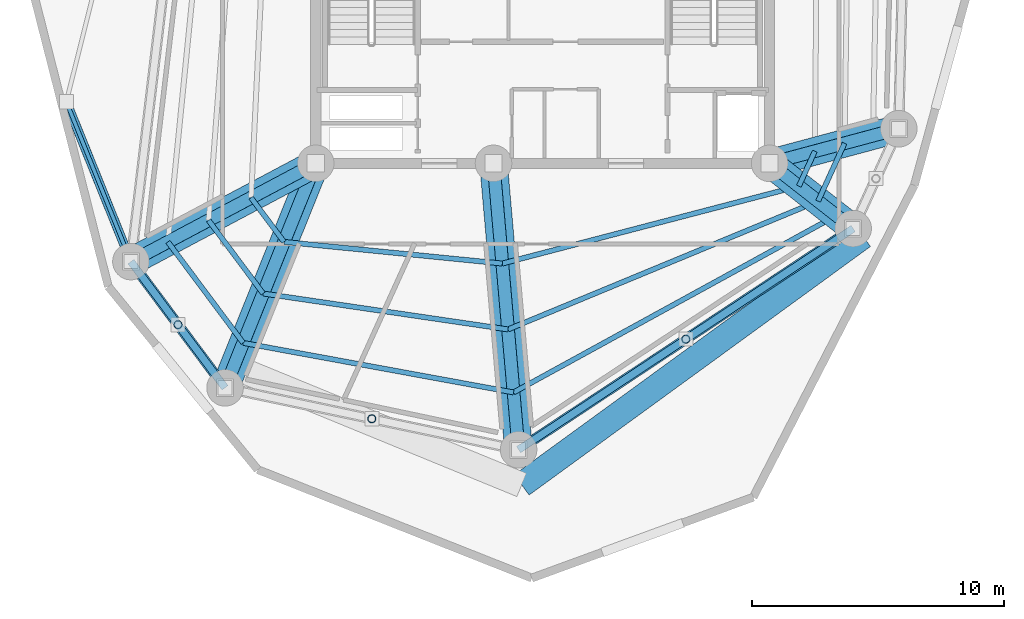
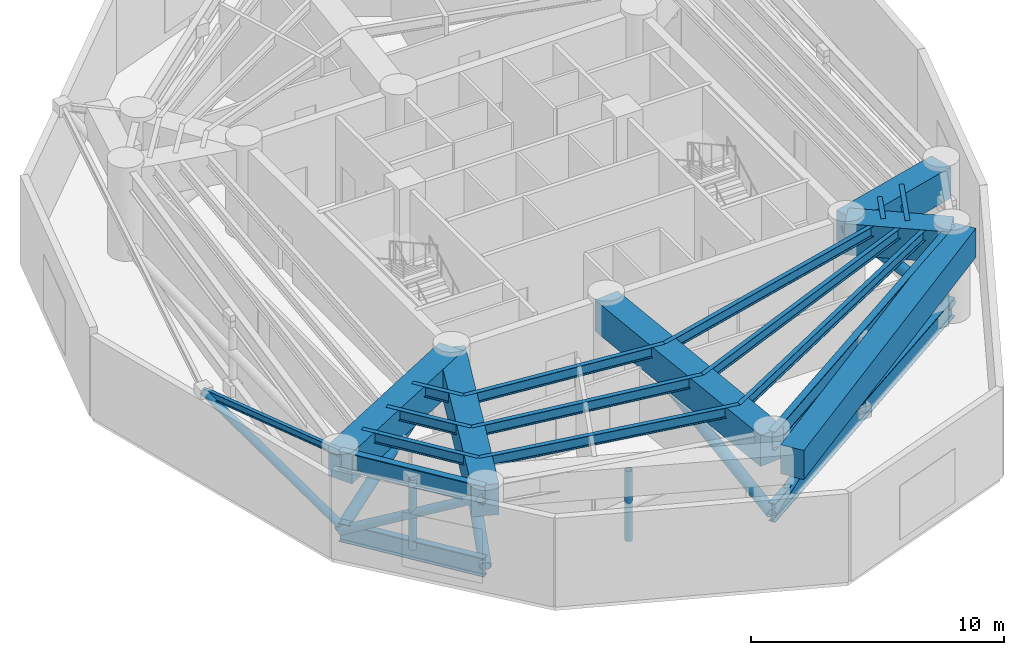
# One storey, part 2 of 11: 20 beams, 13 members.
"""IFC4 building model written with IfcOpenShell, lengths in metres."""

import ifcopenshell
import ifcopenshell.guid

model = None  # the IFC model being written
_history = None  # IfcOwnerHistory: only IFC2X3 demands one
_inside = {}  # id of a spatial element -> (the spatial element, [elements in it])
_under = {}  # id of a project, library or spatial element -> (it, [spatial elements below it])
_declared = {}  # id of a project -> (the project, [libraries it declares])
_typed = {}  # id of a type object -> (the type object, [elements of that type])
_made_of = {}  # id of a material, layer set ... -> (it, [elements and type objects made of it])


def new_model(schema):
    """Start an empty IFC model of exactly this schema.

    Asked for "IFC4X3", IfcOpenShell would pick the latest addendum, in which some entities
    have other attributes; the version numbers below select the first issue.
    IFC2X3 requires an IfcOwnerHistory on every rooted entity: one is made here for all.
    """
    global model, _history
    if schema == "IFC4X3":
        model = ifcopenshell.file(schema_version=(4, 3, 0, 0))
    else:
        model = ifcopenshell.file(schema=schema)
    _inside.clear()
    _under.clear()
    _declared.clear()
    _typed.clear()
    _made_of.clear()
    _history = None
    if model.schema == "IFC2X3":
        org = make("IfcOrganization", Name="unknown")
        user = make(
            "IfcPersonAndOrganization",
            ThePerson=make("IfcPerson", FamilyName="unknown"),
            TheOrganization=org,
        )
        app = make(
            "IfcApplication",
            ApplicationDeveloper=org,
            Version="unknown",
            ApplicationFullName="unknown",
            ApplicationIdentifier="unknown",
        )
        _history = make(
            "IfcOwnerHistory",
            OwningUser=user,
            OwningApplication=app,
            ChangeAction="ADDED",
            CreationDate=0,
        )
    return model


def make(cls, **values):
    """One entity of the class cls with the attributes given. An attribute that is None is left unset."""
    return model.create_entity(
        cls, **{name: value for name, value in values.items() if value is not None}
    )


def rooted(cls, **values):
    """An entity with a GlobalId (a new one), such as an element, a storey or a relation."""
    return make(cls, GlobalId=ifcopenshell.guid.new(), OwnerHistory=_history, **values)


def si_unit(unit_type, name, prefix=None):
    """IfcSIUnit, for example si_unit("LENGTHUNIT", "METRE", prefix="MILLI")."""
    return make("IfcSIUnit", UnitType=unit_type, Prefix=prefix, Name=name)


def assignment(units):
    """IfcUnitAssignment: the units of a project."""
    return None if units is None else make("IfcUnitAssignment", Units=units)


def point(xyz):
    """IfcCartesianPoint."""
    return None if xyz is None else make("IfcCartesianPoint", Coordinates=xyz)


def direction(xyz):
    """IfcDirection."""
    return None if xyz is None else make("IfcDirection", DirectionRatios=xyz)


def frame(location, z_axis=None, x_axis=None):
    """IfcAxis2Placement3D, a coordinate frame: its origin and axes. An axis left out is left unset."""
    return make(
        "IfcAxis2Placement3D",
        Location=point(location),
        Axis=direction(z_axis),
        RefDirection=direction(x_axis),
    )


def frame_2d(location, x_axis=None):
    """IfcAxis2Placement2D, a coordinate frame in the plane: its origin and x axis."""
    return make(
        "IfcAxis2Placement2D", Location=point(location), RefDirection=direction(x_axis)
    )


def origin():
    """The frame at (0, 0, 0) with its axes left unset."""
    return frame((0.0, 0.0, 0.0))


def origin_with_axes():
    """The frame at (0, 0, 0) with the z axis (0, 0, 1) and the x axis (1, 0, 0) written out."""
    return frame((0.0, 0.0, 0.0), z_axis=(0.0, 0.0, 1.0), x_axis=(1.0, 0.0, 0.0))


def origin_2d():
    """The frame at (0, 0) in the plane with its x axis left unset."""
    return frame_2d((0.0, 0.0))


def place(relative_to, where):
    """IfcLocalPlacement: puts the frame where relative to a parent placement (None: the world)."""
    return make(
        "IfcLocalPlacement", PlacementRelTo=relative_to, RelativePlacement=where
    )


def context(
    kind, dimensions, precision=None, world=None, true_north=None, identifier=None
):
    """IfcGeometricRepresentationContext, for example the 3D "Model" context."""
    return make(
        "IfcGeometricRepresentationContext",
        ContextIdentifier=identifier,
        ContextType=kind,
        CoordinateSpaceDimension=dimensions,
        Precision=precision,
        WorldCoordinateSystem=world,
        TrueNorth=true_north,
    )


def subcontext(parent, identifier, kind, view, scale=None):
    """IfcGeometricRepresentationSubContext, for example "Body" below "Model"."""
    return make(
        "IfcGeometricRepresentationSubContext",
        ContextIdentifier=identifier,
        ContextType=kind,
        ParentContext=parent,
        TargetScale=scale,
        TargetView=view,
    )


def project(units=None, contexts=None):
    """IfcProject with its units and contexts."""
    return rooted(
        "IfcProject",
        Name="project",
        RepresentationContexts=contexts,
        UnitsInContext=assignment(units),
    )


def spatial(cls, under=None, at=None, **own):
    """A site, building, storey or space (cls), placed at a placement, below another one or the project."""
    s = rooted(cls, ObjectPlacement=at, **own)
    if under is not None:
        _under.setdefault(under.id(), (under, []))[1].append(s)
    return s


def profile(cls, at=None, kind="AREA", **sizes):
    """A parametric profile (cls). Its sizes go by their IFC names, for example OverallWidth=200.0."""
    return make(cls, ProfileType=kind, Position=at, **sizes)


def rectangle(**sizes):
    """IfcRectangleProfileDef."""
    return profile("IfcRectangleProfileDef", **sizes)


def hollow_circle(**sizes):
    """IfcCircleHollowProfileDef."""
    return profile("IfcCircleHollowProfileDef", **sizes)


def i_section(**sizes):
    """IfcIShapeProfileDef."""
    return profile("IfcIShapeProfileDef", **sizes)


def extrude(swept, where, along, depth):
    """IfcExtrudedAreaSolid: the profile swept, set in the frame where, extruded along a direction by depth."""
    return make(
        "IfcExtrudedAreaSolid",
        SweptArea=swept,
        Position=where,
        ExtrudedDirection=direction(along),
        Depth=depth,
    )


def shape(context_of_items, identifier, shape_type, items):
    """IfcShapeRepresentation: the items that make up one representation, for example the "Body"."""
    return make(
        "IfcShapeRepresentation",
        ContextOfItems=context_of_items,
        RepresentationIdentifier=identifier,
        RepresentationType=shape_type,
        Items=items,
    )


def source(mapping_origin, context_of_items, identifier, shape_type, items):
    """IfcRepresentationMap: a shape defined once, which mapped items show again and again."""
    return make(
        "IfcRepresentationMap",
        MappingOrigin=mapping_origin,
        MappedRepresentation=shape(context_of_items, identifier, shape_type, items),
    )


def transform(
    local_origin,
    x_axis=None,
    y_axis=None,
    z_axis=None,
    scale=None,
    scale2=None,
    scale3=None,
    uniform=True,
):
    """IfcCartesianTransformationOperator3D, or its non-uniform kind. x_axis, y_axis, z_axis: its Axis1, 2, 3."""
    if uniform:
        return make(
            "IfcCartesianTransformationOperator3D",
            Axis1=direction(x_axis),
            Axis2=direction(y_axis),
            LocalOrigin=point(local_origin),
            Scale=scale,
            Axis3=direction(z_axis),
        )
    return make(
        "IfcCartesianTransformationOperator3DnonUniform",
        Axis1=direction(x_axis),
        Axis2=direction(y_axis),
        LocalOrigin=point(local_origin),
        Scale=scale,
        Axis3=direction(z_axis),
        Scale2=scale2,
        Scale3=scale3,
    )


def mapped(mapping_source, mapping_target):
    """IfcMappedItem: shows the shape of a source again, moved by a transform."""
    return make(
        "IfcMappedItem", MappingSource=mapping_source, MappingTarget=mapping_target
    )


def material(Name=None, Category=None):
    """IfcMaterial."""
    return make("IfcMaterial", Name=Name, Category=Category)


def material_profile(
    of_material, cross_section, Name=None, Category=None, Priority=None
):
    """IfcMaterialProfile: a cross section and its material."""
    return make(
        "IfcMaterialProfile",
        Name=Name,
        Material=of_material,
        Profile=cross_section,
        Priority=Priority,
        Category=Category,
    )


def profile_set(profiles, Name=None, composite=None):
    """IfcMaterialProfileSet."""
    return make(
        "IfcMaterialProfileSet",
        Name=Name,
        MaterialProfiles=profiles,
        CompositeProfile=composite,
    )


def made_of(thing, what):
    """Note that an element or type object is made of a material, layer set ...; save() writes the relation."""
    if what is not None:
        _made_of.setdefault(what.id(), (what, []))[1].append(thing)
    return thing


def type_object(cls, material=None, **own):
    """A type object (cls), such as IfcWallType, which elements share."""
    return made_of(rooted(cls, **own), material)


def element(
    cls,
    number,
    at=None,
    inside=None,
    cuts=None,
    type_object=None,
    material=None,
    context=None,
    identifier="Body",
    shape_type=None,
    held_by="IfcProductDefinitionShape",
    body=None,
    shapes=None,
    **own,
):
    """One element of the class cls, such as IfcWall. Its Tag is "e" and its number.

    at: its placement. inside: the storey or other place that contains it. cuts: it is an
    opening in that element (IfcRelVoidsElement). A single representation is given by context,
    identifier, shape_type and body (its items); several are given by shapes. held_by: the class
    of the entity that holds the representations. save() writes the other relations.
    """
    e = rooted(cls, Tag="e%d" % number, ObjectPlacement=at, **own)
    if body is not None:
        shapes = [shape(context, identifier, shape_type, body)]
    if shapes is not None:
        e.Representation = make(held_by, Representations=shapes)
    if inside is not None:
        _inside.setdefault(inside.id(), (inside, []))[1].append(e)
    if cuts is not None:
        rooted(
            "IfcRelVoidsElement", RelatingBuildingElement=cuts, RelatedOpeningElement=e
        )
    if type_object is not None:
        _typed.setdefault(type_object.id(), (type_object, []))[1].append(e)
    return made_of(e, material)


def aggregate(whole, parts):
    """IfcRelAggregates: a whole, such as a stair, and the parts it consists of."""
    return rooted("IfcRelAggregates", RelatingObject=whole, RelatedObjects=parts)


def save(model, path):
    """Write the relations noted so far, then the file.

    IfcRelAggregates (storeys below a building ...), IfcRelContainedInSpatialStructure (elements
    in a storey), IfcRelDefinesByType, IfcRelAssociatesMaterial and IfcRelDeclares: one each for
    every whole, place, type object, material and project.
    """
    for whole, parts in _under.values():
        aggregate(whole, parts)
    for where, things in _inside.values():
        rooted(
            "IfcRelContainedInSpatialStructure",
            RelatedElements=things,
            RelatingStructure=where,
        )
    for kind, things in _typed.values():
        rooted("IfcRelDefinesByType", RelatedObjects=things, RelatingType=kind)
    for what, things in _made_of.values():
        rooted("IfcRelAssociatesMaterial", RelatedObjects=things, RelatingMaterial=what)
    for by, libraries in _declared.values():
        rooted("IfcRelDeclares", RelatingContext=by, RelatedDefinitions=libraries)
    model.write(path)


model = new_model("IFC4")

# Units and contexts
model_context = context("Model", 3, precision=1e-05, world=origin(), true_north=direction((0.0, 1.0)))
body_context = subcontext(model_context, "Body", "Model", "MODEL_VIEW")
ifc_project = project(units=[si_unit("LENGTHUNIT", "METRE"), si_unit("AREAUNIT", "SQUARE_METRE"), si_unit("VOLUMEUNIT", "CUBIC_METRE"), si_unit("PLANEANGLEUNIT", "RADIAN"), si_unit("MASSUNIT", "GRAM", prefix="KILO")], contexts=[model_context])

# Site, building, storey
site_placement = place(None, origin())
site = spatial("IfcSite", under=ifc_project, at=site_placement, CompositionType="ELEMENT")
building_placement = place(site_placement, origin())
building = spatial("IfcBuilding", under=site, at=building_placement, Name="Karkom Vertical University and Central Library", CompositionType="ELEMENT")
storey_placement = place(building_placement, frame((0.0, 0.0, 148.050048828125)))
storey = spatial("IfcBuildingStorey", under=building, at=storey_placement, Name="P42", CompositionType="ELEMENT", Elevation=148.050048828125)

# Members
ifc_material_1 = material(Name="Steel S355", Category="steel")
ifc_material_profile_1 = material_profile(ifc_material_1, hollow_circle(Radius=0.161865234375, WallThickness=0.01611328125, at=origin_2d()), Name="CHS 323.9x16")
ifc_profile_set_1 = profile_set([ifc_material_profile_1], Name="Steel S355")
member_type_1 = type_object("IfcMemberType", Name="STR-MEM-PT-1", PredefinedType="POST", material=ifc_profile_set_1)
shared_shape_1 = source(origin_with_axes(), body_context, "Body", "SweptSolid", [
    extrude(hollow_circle(Radius=0.161865234375, WallThickness=0.01611328125, at=origin_2d()), origin(), (0.0, 0.0, 1.0), 3.375),
])
for number, where, z_axis, x_axis, name in (
    (1, (14.0380859375, 11.90087890625, 0.349853515625), (0.0, 0.0, 1.0), (1.0, 0.0, 0.0), "Plant Level 42 Belt Truss Web Post 06"),
    (2, (21.72412109375, 8.1708984375, 0.349853515625), (0.0, 0.0, 1.0), (1.0, 0.0, 0.0), "Plant Level 42 Belt Truss Web Post 07"),
    (3, (34.177001953125, 11.32861328125, 0.349853515625), (0.0, 0.0, 1.0), (1.0, 0.0, 0.0), "Plant Level 42 Belt Truss Web Post 08"),
):
    element("IfcMember", number, at=place(storey_placement, frame(where, z_axis=z_axis, x_axis=x_axis)), inside=storey, type_object=member_type_1, Name=name, PredefinedType="POST", context=body_context, shape_type="MappedRepresentation", body=[
        mapped(shared_shape_1, transform((0.0, 0.0, 0.0), scale=1.0)),
    ])

# Beams
ifc_material_profile_2 = material_profile(ifc_material_1, i_section(OverallWidth=0.199951171875, OverallDepth=0.5, WebThickness=0.01025390625, FlangeThickness=0.01611328125, FilletRadius=0.02099609375, at=origin_2d()), Name="IPE 500")
ifc_profile_set_2 = profile_set([ifc_material_profile_2], Name="Steel S355")
beam_type_1 = type_object("IfcBeamType", Name="STR-BM-SB-IPE500", PredefinedType="BEAM", material=ifc_profile_set_2)
shared_shape_2 = source(origin_with_axes(), body_context, "Body", "SweptSolid", [
    extrude(i_section(OverallWidth=0.199951171875, OverallDepth=0.5, WebThickness=0.01025390625, FlangeThickness=0.01611328125, FilletRadius=0.02099609375, at=origin_2d()), origin(), (0.0, 0.0, 1.0), 2.1845703125),
])
beam_1_placement = place(storey_placement, frame((16.935302734375, 16.93603515625, 4.02490234375), z_axis=(0.597870130664, -0.801592980795, 0.0), x_axis=(0.801592980795, 0.597870130664, 0.0)))
element("IfcBeam", 4, at=beam_1_placement, inside=storey, type_object=beam_type_1, Name="Plant Level 42 Secondary Composite Floor Beam 1.06", PredefinedType="BEAM", context=body_context, shape_type="MappedRepresentation", body=[
    mapped(shared_shape_2, transform((0.0, 0.0, 0.0), scale=1.0)),
])
shared_shape_3 = source(origin_with_axes(), body_context, "Body", "SweptSolid", [
    extrude(i_section(OverallWidth=0.199951171875, OverallDepth=0.5, WebThickness=0.01025390625, FlangeThickness=0.01611328125, FilletRadius=0.02099609375, at=origin_2d()), origin(), (0.0, 0.0, 1.0), 8.698974609375),
])
beam_2_placement = place(storey_placement, frame((18.241455078125, 15.184814453125, 4.02490234375), z_axis=(0.995105588045, -0.098817349903, 0.0), x_axis=(0.098817349903, 0.995105588045, 0.0)))
element("IfcBeam", 5, at=beam_2_placement, inside=storey, type_object=beam_type_1, Name="Plant Level 42 Secondary Composite Floor Beam 1.07", PredefinedType="BEAM", context=body_context, shape_type="MappedRepresentation", body=[
    mapped(shared_shape_3, transform((0.0, 0.0, 0.0), scale=1.0)),
])
shared_shape_4 = source(origin_with_axes(), body_context, "Body", "SweptSolid", [
    extrude(i_section(OverallWidth=0.199951171875, OverallDepth=0.5, WebThickness=0.01025390625, FlangeThickness=0.01611328125, FilletRadius=0.02099609375, at=origin_2d()), origin(), (0.0, 0.0, 1.0), 12.154541015625),
])
beam_3_placement = place(storey_placement, frame((26.89794921875, 14.3251953125, 4.02490234375), z_axis=(0.967579719768, 0.252565805077, 0.0), x_axis=(-0.252565805077, 0.967579719768, 0.0)))
element("IfcBeam", 6, at=beam_3_placement, inside=storey, type_object=beam_type_1, Name="Plant Level 42 Secondary Composite Floor Beam 1.08", PredefinedType="BEAM", context=body_context, shape_type="MappedRepresentation", body=[
    mapped(shared_shape_4, transform((0.0, 0.0, 0.0), scale=1.0)),
])
shared_shape_5 = source(origin_with_axes(), body_context, "Body", "SweptSolid", [
    extrude(i_section(OverallWidth=0.199951171875, OverallDepth=0.5, WebThickness=0.01025390625, FlangeThickness=0.01611328125, FilletRadius=0.02099609375, at=origin_2d()), origin(), (0.0, 0.0, 1.0), 1.52294921875),
])
beam_4_placement = place(storey_placement, frame((38.658447265625, 17.39501953125, 4.02490234375), z_axis=(0.415649898107, 0.909524690266, 0.0), x_axis=(-0.909524690266, 0.415649898107, 0.0)))
element("IfcBeam", 7, at=beam_4_placement, inside=storey, type_object=beam_type_1, Name="Plant Level 42 Secondary Composite Floor Beam 1.09", PredefinedType="BEAM", context=body_context, shape_type="MappedRepresentation", body=[
    mapped(shared_shape_5, transform((0.0, 0.0, 0.0), scale=1.0)),
])
shared_shape_6 = source(origin_with_axes(), body_context, "Body", "SweptSolid", [
    extrude(i_section(OverallWidth=0.199951171875, OverallDepth=0.5, WebThickness=0.01025390625, FlangeThickness=0.01611328125, FilletRadius=0.02099609375, at=origin_2d()), origin(), (0.0, 0.0, 1.0), 3.62060546875),
])
beam_5_placement = place(storey_placement, frame((15.249755859375, 16.039794921875, 4.02490234375), z_axis=(0.59784003707, -0.801615425298, 0.0), x_axis=(0.801615425298, 0.59784003707, 0.0)))
element("IfcBeam", 8, at=beam_5_placement, inside=storey, type_object=beam_type_1, Name="Plant Level 42 Secondary Composite Floor Beam 2.06", PredefinedType="BEAM", context=body_context, shape_type="MappedRepresentation", body=[
    mapped(shared_shape_6, transform((0.0, 0.0, 0.0), scale=1.0)),
])
shared_shape_7 = source(origin_with_axes(), body_context, "Body", "SweptSolid", [
    extrude(i_section(OverallWidth=0.199951171875, OverallDepth=0.5, WebThickness=0.01025390625, FlangeThickness=0.01611328125, FilletRadius=0.02099609375, at=origin_2d()), origin(), (0.0, 0.0, 1.0), 9.816162109375),
])
beam_6_placement = place(storey_placement, frame((17.414306640625, 13.137451171875, 4.02490234375), z_axis=(0.989413295367, -0.145125225069, 0.0), x_axis=(0.145125225069, 0.989413295367, 0.0)))
element("IfcBeam", 9, at=beam_6_placement, inside=storey, type_object=beam_type_1, Name="Plant Level 42 Secondary Composite Floor Beam 2.07", PredefinedType="BEAM", context=body_context, shape_type="MappedRepresentation", body=[
    mapped(shared_shape_7, transform((0.0, 0.0, 0.0), scale=1.0)),
])
shared_shape_8 = source(origin_with_axes(), body_context, "Body", "SweptSolid", [
    extrude(i_section(OverallWidth=0.199951171875, OverallDepth=0.5, WebThickness=0.01025390625, FlangeThickness=0.01611328125, FilletRadius=0.02099609375, at=origin_2d()), origin(), (0.0, 0.0, 1.0), 13.304443359375),
])
beam_7_placement = place(storey_placement, frame((27.12646484375, 11.712890625, 4.02490234375), z_axis=(0.924011243398, 0.382365299255, 0.0), x_axis=(-0.382365299255, 0.924011243398, 0.0)))
element("IfcBeam", 10, at=beam_7_placement, inside=storey, type_object=beam_type_1, Name="Plant Level 42 Secondary Composite Floor Beam 2.08", PredefinedType="BEAM", context=body_context, shape_type="MappedRepresentation", body=[
    mapped(shared_shape_8, transform((0.0, 0.0, 0.0), scale=1.0)),
])
shared_shape_9 = source(origin_with_axes(), body_context, "Body", "SweptSolid", [
    extrude(i_section(OverallWidth=0.199951171875, OverallDepth=0.5, WebThickness=0.01025390625, FlangeThickness=0.01611328125, FilletRadius=0.02099609375, at=origin_2d()), origin(), (0.0, 0.0, 1.0), 2.52392578125),
])
beam_8_placement = place(storey_placement, frame((39.419921875, 16.800048828125, 4.02490234375), z_axis=(0.415638602127, 0.909529852408, 0.0), x_axis=(-0.909529852408, 0.415638602127, 0.0)))
element("IfcBeam", 11, at=beam_8_placement, inside=storey, type_object=beam_type_1, Name="Plant Level 42 Secondary Composite Floor Beam 2.09", PredefinedType="BEAM", context=body_context, shape_type="MappedRepresentation", body=[
    mapped(shared_shape_9, transform((0.0, 0.0, 0.0), scale=1.0)),
])
shared_shape_10 = source(origin_with_axes(), body_context, "Body", "SweptSolid", [
    extrude(i_section(OverallWidth=0.199951171875, OverallDepth=0.5, WebThickness=0.01025390625, FlangeThickness=0.01611328125, FilletRadius=0.02099609375, at=origin_2d()), origin(), (0.0, 0.0, 1.0), 4.993896484375),
])
beam_9_placement = place(storey_placement, frame((13.6376953125, 15.182373046875, 4.02490234375), z_axis=(0.597846775537, -0.801610399745, 0.0), x_axis=(0.801610399745, 0.597846775537, 0.0)))
element("IfcBeam", 12, at=beam_9_placement, inside=storey, type_object=beam_type_1, Name="Plant Level 42 Secondary Composite Floor Beam 3.06", PredefinedType="BEAM", context=body_context, shape_type="MappedRepresentation", body=[
    mapped(shared_shape_10, transform((0.0, 0.0, 0.0), scale=1.0)),
])
shared_shape_11 = source(origin_with_axes(), body_context, "Body", "SweptSolid", [
    extrude(i_section(OverallWidth=0.199951171875, OverallDepth=0.5, WebThickness=0.01025390625, FlangeThickness=0.01611328125, FilletRadius=0.02099609375, at=origin_2d()), origin(), (0.0, 0.0, 1.0), 10.900390625),
])
beam_10_placement = place(storey_placement, frame((16.623291015625, 11.17919921875, 4.02490234375), z_axis=(0.98362026014, -0.180253110495, 0.0), x_axis=(0.180253110495, 0.98362026014, 0.0)))
element("IfcBeam", 13, at=beam_10_placement, inside=storey, type_object=beam_type_1, Name="Plant Level 42 Secondary Composite Floor Beam 3.07", PredefinedType="BEAM", context=body_context, shape_type="MappedRepresentation", body=[
    mapped(shared_shape_11, transform((0.0, 0.0, 0.0), scale=1.0)),
])
shared_shape_12 = source(origin_with_axes(), body_context, "Body", "SweptSolid", [
    extrude(i_section(OverallWidth=0.199951171875, OverallDepth=0.5, WebThickness=0.01025390625, FlangeThickness=0.01611328125, FilletRadius=0.02099609375, at=origin_2d()), origin(), (0.0, 0.0, 1.0), 14.599609375),
])
beam_11_placement = place(storey_placement, frame((27.34521484375, 9.21435546875, 4.02490234375), z_axis=(0.876928143127, 0.480621505752, 0.0), x_axis=(-0.480621505752, 0.876928143127, 0.0)))
element("IfcBeam", 14, at=beam_11_placement, inside=storey, type_object=beam_type_1, Name="Plant Level 42 Secondary Composite Floor Beam 3.08", PredefinedType="BEAM", context=body_context, shape_type="MappedRepresentation", body=[
    mapped(shared_shape_12, transform((0.0, 0.0, 0.0), scale=1.0)),
])
ifc_material_2 = material(Name="Concrete C50/60", Category="concrete")
ifc_material_profile_3 = material_profile(ifc_material_2, rectangle(XDim=1.10009765625, YDim=1.5, at=origin_2d()), Name="TG-1100x1500")
ifc_profile_set_3 = profile_set([ifc_material_profile_3], Name="Concrete C50/60")
beam_type_2 = type_object("IfcBeamType", Name="STR-BM-TG-1", PredefinedType="USERDEFINED", material=ifc_profile_set_3)
shared_shape_13 = source(origin_with_axes(), body_context, "Body", "SweptSolid", [
    extrude(rectangle(XDim=1.10009765625, YDim=1.5, at=origin_2d()), origin(), (0.0, 0.0, 1.0), 5.299560546875),
])
beam_12_placement = place(storey_placement, frame((37.5, 18.300048828125, 3.52490234375), z_axis=(0.965903833688, 0.258901108663, 0.0), x_axis=(-0.258901108663, 0.965903833688, 0.0)))
element("IfcBeam", 15, at=beam_12_placement, inside=storey, type_object=beam_type_2, Name="Plant Level 42 Radial Frame Girder 01", ObjectType="GIRDER", PredefinedType="USERDEFINED", context=body_context, shape_type="MappedRepresentation", body=[
    mapped(shared_shape_13, transform((0.0, 0.0, 0.0), scale=1.0)),
])
shared_shape_14 = source(origin_with_axes(), body_context, "Body", "SweptSolid", [
    extrude(rectangle(XDim=1.10009765625, YDim=1.5, at=origin_2d()), origin(), (0.0, 0.0, 1.0), 8.299560546875),
])
beam_13_placement = place(storey_placement, frame((19.5, 18.300048828125, 3.52490234375), z_axis=(-0.882914163564, -0.469534428746, 0.0), x_axis=(0.469534428746, -0.882914163564, 0.0)))
element("IfcBeam", 16, at=beam_13_placement, inside=storey, type_object=beam_type_2, Name="Plant Level 42 Radial Frame Girder 06", ObjectType="GIRDER", PredefinedType="USERDEFINED", context=body_context, shape_type="MappedRepresentation", body=[
    mapped(shared_shape_14, transform((0.0, 0.0, 0.0), scale=1.0)),
])
shared_shape_15 = source(origin_with_axes(), body_context, "Body", "SweptSolid", [
    extrude(rectangle(XDim=1.10009765625, YDim=1.5, at=origin_2d()), origin(), (0.0, 0.0, 1.0), 9.60009765625),
])
beam_14_placement = place(storey_placement, frame((19.5, 18.300048828125, 3.52490234375), z_axis=(-0.374576157034, -0.927196151082, 0.0), x_axis=(0.927196151082, -0.374576157034, 0.0)))
element("IfcBeam", 17, at=beam_14_placement, inside=storey, type_object=beam_type_2, Name="Plant Level 42 Radial Frame Girder 07", ObjectType="GIRDER", PredefinedType="USERDEFINED", context=body_context, shape_type="MappedRepresentation", body=[
    mapped(shared_shape_15, transform((0.0, 0.0, 0.0), scale=1.0)),
])
shared_shape_16 = source(origin_with_axes(), body_context, "Body", "SweptSolid", [
    extrude(rectangle(XDim=1.10009765625, YDim=1.5, at=origin_2d()), origin(), (0.0, 0.0, 1.0), 11.400390625),
])
beam_15_placement = place(storey_placement, frame((26.550048828125, 18.300048828125, 3.52490234375), z_axis=(0.087181295702, -0.996192462168, 0.0), x_axis=(0.996192462168, 0.087181295702, 0.0)))
element("IfcBeam", 18, at=beam_15_placement, inside=storey, type_object=beam_type_2, Name="Plant Level 42 Radial Frame Girder 08", ObjectType="GIRDER", PredefinedType="USERDEFINED", context=body_context, shape_type="MappedRepresentation", body=[
    mapped(shared_shape_16, transform((0.0, 0.0, 0.0), scale=1.0)),
])
shared_shape_17 = source(origin_with_axes(), body_context, "Body", "SweptSolid", [
    extrude(rectangle(XDim=1.10009765625, YDim=1.5, at=origin_2d()), origin(), (0.0, 0.0, 1.0), 4.200439453125),
])
beam_16_placement = place(storey_placement, frame((37.5, 18.300048828125, 3.52490234375), z_axis=(0.788029660796, -0.615637274461, 0.0), x_axis=(0.615637274461, 0.788029660796, 0.0)))
element("IfcBeam", 19, at=beam_16_placement, inside=storey, type_object=beam_type_2, Name="Plant Level 42 Radial Frame Girder 09", ObjectType="GIRDER", PredefinedType="USERDEFINED", context=body_context, shape_type="MappedRepresentation", body=[
    mapped(shared_shape_17, transform((0.0, 0.0, 0.0), scale=1.0)),
])
ifc_material_3 = material(Name="Steel S460", Category="steel")
ifc_material_profile_4 = material_profile(ifc_material_3, i_section(OverallWidth=0.300048828125, OverallDepth=0.89990234375, WebThickness=0.0185546875, FlangeThickness=0.034912109375, FilletRadius=0.030029296875, at=origin_2d()), Name="HE 900 B")
ifc_profile_set_4 = profile_set([ifc_material_profile_4], Name="Steel S460")
beam_type_3 = type_object("IfcBeamType", Name="STR-BM-SB-HE900", PredefinedType="USERDEFINED", material=ifc_profile_set_4)
shared_shape_18 = source(origin_with_axes(), body_context, "Body", "SweptSolid", [
    extrude(i_section(OverallWidth=0.300048828125, OverallDepth=0.89990234375, WebThickness=0.0185546875, FlangeThickness=0.034912109375, FilletRadius=0.030029296875, at=origin_2d()), origin(), (0.0, 0.0, 1.0), 6.242431640625),
])
beam_17_placement = place(storey_placement, frame((12.172119140625, 14.403076171875, 3.824951171875), z_axis=(0.59782643552, -0.801625569074, 0.0), x_axis=(0.801625569074, 0.59782643552, 0.0)))
element("IfcBeam", 20, at=beam_17_placement, inside=storey, type_object=beam_type_3, Name="Plant Level 42 Perimeter Spandrel Beam 06", ObjectType="GIRDER", PredefinedType="USERDEFINED", context=body_context, shape_type="MappedRepresentation", body=[
    mapped(shared_shape_18, transform((0.0, 0.0, 0.0), scale=1.0)),
])
shared_shape_19 = source(origin_with_axes(), body_context, "Body", "SweptSolid", [
    extrude(i_section(OverallWidth=0.300048828125, OverallDepth=0.89990234375, WebThickness=0.0185546875, FlangeThickness=0.034912109375, FilletRadius=0.030029296875, at=origin_2d()), origin(), (0.0, 0.0, 1.0), 15.903564453125),
])
beam_18_placement = place(storey_placement, frame((27.5439453125, 6.943115234375, 3.824951171875), z_axis=(0.834165069331, 0.551514856652, 0.0), x_axis=(-0.551514856652, 0.834165069331, 0.0)))
element("IfcBeam", 21, at=beam_18_placement, inside=storey, type_object=beam_type_3, Name="Plant Level 42 Perimeter Spandrel Beam 08", ObjectType="GIRDER", PredefinedType="USERDEFINED", context=body_context, shape_type="MappedRepresentation", body=[
    mapped(shared_shape_19, transform((0.0, 0.0, 0.0), scale=1.0)),
])
ifc_material_profile_5 = material_profile(ifc_material_2, rectangle(XDim=1.0, YDim=1.39990234375, at=origin_2d()), Name="TG-1000x1400")
ifc_profile_set_5 = profile_set([ifc_material_profile_5], Name="Concrete C50/60")
beam_type_4 = type_object("IfcBeamType", Name="STR-BM-TG-2", PredefinedType="USERDEFINED", material=ifc_profile_set_5)
shared_shape_20 = source(origin_with_axes(), body_context, "Body", "SweptSolid", [
    extrude(rectangle(XDim=1.0, YDim=1.39990234375, at=origin_2d()), origin(), (0.0, 0.0, 1.0), 16.746337890625),
])
beam_19_placement = place(storey_placement, frame((27.666015625, 5.549072265625, 3.574951171875), z_axis=(0.808422013284, 0.588603303115, 0.0), x_axis=(-0.588603303115, 0.808422013284, 0.0)))
element("IfcBeam", 22, at=beam_19_placement, inside=storey, type_object=beam_type_4, Name="Plant Level 42 Upper Column Transfer Ring 08", ObjectType="GIRDER", PredefinedType="USERDEFINED", context=body_context, shape_type="MappedRepresentation", body=[
    mapped(shared_shape_20, transform((0.0, 0.0, 0.0), scale=1.0)),
])
ifc_material_profile_6 = material_profile(ifc_material_1, i_section(OverallWidth=0.159912109375, OverallDepth=0.330078125, WebThickness=0.007568359375, FlangeThickness=0.011474609375, FilletRadius=0.01806640625, at=origin_2d()), Name="IPE 330")
ifc_profile_set_6 = profile_set([ifc_material_profile_6], Name="Steel S355")
beam_type_5 = type_object("IfcBeamType", Name="STR-BM-SB-IPE330", PredefinedType="BEAM", material=ifc_profile_set_6)
shared_shape_21 = source(origin_with_axes(), body_context, "Body", "SweptSolid", [
    extrude(i_section(OverallWidth=0.159912109375, OverallDepth=0.330078125, WebThickness=0.007568359375, FlangeThickness=0.011474609375, FilletRadius=0.01806640625, at=origin_2d()), origin(), (0.0, 0.0, 1.0), 6.8388671875),
])
beam_20_placement = place(storey_placement, frame((12.172119140625, 14.403076171875, 4.10986328125), z_axis=(-0.374699731061, 0.927146219074, 0.0), x_axis=(-0.927146219074, -0.374699731061, 0.0)))
element("IfcBeam", 23, at=beam_20_placement, inside=storey, type_object=beam_type_5, Name="Plant Level 42 Sky Garden Outrigger Support Beam 2", PredefinedType="BEAM", context=body_context, shape_type="MappedRepresentation", body=[
    mapped(shared_shape_21, transform((0.0, 0.0, 0.0), scale=1.0)),
])

# Members
ifc_material_profile_7 = material_profile(ifc_material_1, hollow_circle(Radius=0.177734375, WallThickness=0.01611328125, at=origin_2d()), Name="CHS 355.6x16")
ifc_profile_set_7 = profile_set([ifc_material_profile_7], Name="Steel S355")
member_type_2 = type_object("IfcMemberType", Name="STR-MEM-BR-3", PredefinedType="BRACE", material=ifc_profile_set_7)
shared_shape_22 = source(origin_with_axes(), body_context, "Body", "SweptSolid", [
    extrude(hollow_circle(Radius=0.177734375, WallThickness=0.01611328125, at=origin_2d()), origin(), (0.0, 0.0, 1.0), 7.67333984375),
])
member_1_placement = place(storey_placement, frame((12.172119140625, 14.403076171875, 0.6298828125), z_axis=(-0.333950067237, 0.826316424945, 0.453517936204), x_axis=(-0.927146219074, -0.374699731061, 0.0)))
element("IfcMember", 24, at=member_1_placement, inside=storey, type_object=member_type_2, Name="Plant Level 42 Sky Garden Knee Strut Brace 2", PredefinedType="BRACE", context=body_context, shape_type="MappedRepresentation", body=[
    mapped(shared_shape_22, transform((0.0, 0.0, 0.0), scale=1.0)),
])
ifc_material_profile_8 = material_profile(ifc_material_1, hollow_circle(Radius=0.203125, WallThickness=0.02001953125, at=origin_2d()), Name="CHS 406.4x20")
ifc_profile_set_8 = profile_set([ifc_material_profile_8], Name="Steel S355")
member_type_3 = type_object("IfcMemberType", Name="STR-MEM-BR-2", PredefinedType="BRACE", material=ifc_profile_set_8)
shared_shape_23 = source(origin_with_axes(), body_context, "Body", "SweptSolid", [
    extrude(hollow_circle(Radius=0.203125, WallThickness=0.02001953125, at=origin_2d()), origin(), (0.0, 0.0, 1.0), 7.096435546875),
])
member_2_placement = place(storey_placement, frame((12.172119140625, 14.403076171875, 0.349853515625), z_axis=(0.52588806249, -0.705163392441, 0.475590512617), x_axis=(0.801625569074, 0.59782643552, 0.0)))
element("IfcMember", 25, at=member_2_placement, inside=storey, type_object=member_type_3, Name="Plant Level 42 Belt Truss Diagonal Brace 06", PredefinedType="BRACE", context=body_context, shape_type="MappedRepresentation", body=[
    mapped(shared_shape_23, transform((0.0, 0.0, 0.0), scale=1.0)),
])
ifc_material_profile_9 = material_profile(ifc_material_3, i_section(OverallWidth=0.300048828125, OverallDepth=0.89990234375, WebThickness=0.0185546875, FlangeThickness=0.034912109375, FilletRadius=0.030029296875, at=origin_2d()), Name="HE 900 B")
ifc_profile_set_9 = profile_set([ifc_material_profile_9], Name="Steel S460")
member_type_4 = type_object("IfcMemberType", Name="STR-MEM-CH-1", PredefinedType="CHORD", material=ifc_profile_set_9)
shared_shape_24 = source(origin_with_axes(), body_context, "Body", "SweptSolid", [
    extrude(i_section(OverallWidth=0.300048828125, OverallDepth=0.89990234375, WebThickness=0.0185546875, FlangeThickness=0.034912109375, FilletRadius=0.030029296875, at=origin_2d()), origin(), (0.0, 0.0, 1.0), 6.242431640625),
])
member_3_placement = place(storey_placement, frame((12.172119140625, 14.403076171875, 0.349853515625), z_axis=(0.59782643552, -0.801625569074, 0.0), x_axis=(0.801625569074, 0.59782643552, 0.0)))
element("IfcMember", 26, at=member_3_placement, inside=storey, type_object=member_type_4, Name="Plant Level 42 Belt Truss Bottom Chord 06", PredefinedType="CHORD", context=body_context, shape_type="MappedRepresentation", body=[
    mapped(shared_shape_24, transform((0.0, 0.0, 0.0), scale=1.0)),
])
shared_shape_25 = source(origin_with_axes(), body_context, "Body", "SweptSolid", [
    extrude(hollow_circle(Radius=0.203125, WallThickness=0.02001953125, at=origin_2d()), origin(), (0.0, 0.0, 1.0), 16.257568359375),
])
member_4_placement = place(storey_placement, frame((27.5439453125, 6.943115234375, 0.349853515625), z_axis=(0.815992713168, 0.539500059135, 0.20759474524), x_axis=(-0.551514856652, 0.834165069331, 0.0)))
element("IfcMember", 27, at=member_4_placement, inside=storey, type_object=member_type_3, Name="Plant Level 42 Belt Truss Diagonal Brace 08", PredefinedType="BRACE", context=body_context, shape_type="MappedRepresentation", body=[
    mapped(shared_shape_25, transform((0.0, 0.0, 0.0), scale=1.0)),
])
shared_shape_26 = source(origin_with_axes(), body_context, "Body", "SweptSolid", [
    extrude(i_section(OverallWidth=0.300048828125, OverallDepth=0.89990234375, WebThickness=0.0185546875, FlangeThickness=0.034912109375, FilletRadius=0.030029296875, at=origin_2d()), origin(), (0.0, 0.0, 1.0), 15.903564453125),
])
member_5_placement = place(storey_placement, frame((27.5439453125, 6.943115234375, 0.349853515625), z_axis=(0.834165069331, 0.551514856652, 0.0), x_axis=(-0.551514856652, 0.834165069331, 0.0)))
element("IfcMember", 28, at=member_5_placement, inside=storey, type_object=member_type_4, Name="Plant Level 42 Belt Truss Bottom Chord 08", PredefinedType="CHORD", context=body_context, shape_type="MappedRepresentation", body=[
    mapped(shared_shape_26, transform((0.0, 0.0, 0.0), scale=1.0)),
])
ifc_material_profile_10 = material_profile(ifc_material_3, hollow_circle(Radius=0.25390625, WallThickness=0.02490234375, at=origin_2d()), Name="CHS 508x25")
ifc_profile_set_10 = profile_set([ifc_material_profile_10], Name="Steel S460")
member_type_5 = type_object("IfcMemberType", Name="STR-MEM-BR-1", PredefinedType="BRACE", material=ifc_profile_set_10)
shared_shape_27 = source(origin_with_axes(), body_context, "Body", "SweptSolid", [
    extrude(hollow_circle(Radius=0.25390625, WallThickness=0.02490234375, at=origin_2d()), origin(), (0.0, 0.0, 1.0), 6.282958984375),
])
member_6_placement = place(storey_placement, frame((37.5, 18.300048828125, 3.724853515625), z_axis=(0.814719496939, 0.21837762068, -0.537162318199), x_axis=(-0.258901108663, 0.965903833688, 0.0)))
element("IfcMember", 29, at=member_6_placement, inside=storey, type_object=member_type_5, Name="Plant Level 42 Outrigger Truss Diagonal 01", PredefinedType="BRACE", context=body_context, shape_type="MappedRepresentation", body=[
    mapped(shared_shape_27, transform((0.0, 0.0, 0.0), scale=1.0)),
])
shared_shape_28 = source(origin_with_axes(), body_context, "Body", "SweptSolid", [
    extrude(hollow_circle(Radius=0.25390625, WallThickness=0.02490234375, at=origin_2d()), origin(), (0.0, 0.0, 1.0), 8.959716796875),
])
member_7_placement = place(storey_placement, frame((19.5, 18.300048828125, 3.724853515625), z_axis=(-0.817878185154, -0.434948245591, -0.376689922757), x_axis=(0.469534428746, -0.882914163564, 0.0)))
element("IfcMember", 30, at=member_7_placement, inside=storey, type_object=member_type_5, Name="Plant Level 42 Outrigger Truss Diagonal 06", PredefinedType="BRACE", context=body_context, shape_type="MappedRepresentation", body=[
    mapped(shared_shape_28, transform((0.0, 0.0, 0.0), scale=1.0)),
])
shared_shape_29 = source(origin_with_axes(), body_context, "Body", "SweptSolid", [
    extrude(hollow_circle(Radius=0.25390625, WallThickness=0.02490234375, at=origin_2d()), origin(), (0.0, 0.0, 1.0), 10.176025390625),
])
member_8_placement = place(storey_placement, frame((19.5, 18.300048828125, 3.724853515625), z_axis=(-0.353374506621, -0.874715264913, -0.331661971589), x_axis=(0.927196151082, -0.374576157034, 0.0)))
element("IfcMember", 31, at=member_8_placement, inside=storey, type_object=member_type_5, Name="Plant Level 42 Outrigger Truss Diagonal 07", PredefinedType="BRACE", context=body_context, shape_type="MappedRepresentation", body=[
    mapped(shared_shape_29, transform((0.0, 0.0, 0.0), scale=1.0)),
])
shared_shape_30 = source(origin_with_axes(), body_context, "Body", "SweptSolid", [
    extrude(hollow_circle(Radius=0.25390625, WallThickness=0.02490234375, at=origin_2d()), origin(), (0.0, 0.0, 1.0), 11.889404296875),
])
member_9_placement = place(storey_placement, frame((26.550048828125, 18.300048828125, 3.724853515625), z_axis=(0.083595009279, -0.955213127404, -0.283865735269), x_axis=(0.996192462168, 0.087181295702, 0.0)))
element("IfcMember", 32, at=member_9_placement, inside=storey, type_object=member_type_5, Name="Plant Level 42 Outrigger Truss Diagonal 08", PredefinedType="BRACE", context=body_context, shape_type="MappedRepresentation", body=[
    mapped(shared_shape_30, transform((0.0, 0.0, 0.0), scale=1.0)),
])
shared_shape_31 = source(origin_with_axes(), body_context, "Body", "SweptSolid", [
    extrude(hollow_circle(Radius=0.25390625, WallThickness=0.02490234375, at=origin_2d()), origin(), (0.0, 0.0, 1.0), 5.388427734375),
])
member_10_placement = place(storey_placement, frame((37.5, 18.300048828125, 3.724853515625), z_axis=(0.614300483145, -0.479913757004, -0.626352697964), x_axis=(0.615637274461, 0.788029660796, 0.0)))
element("IfcMember", 33, at=member_10_placement, inside=storey, type_object=member_type_5, Name="Plant Level 42 Outrigger Truss Diagonal 09", PredefinedType="BRACE", context=body_context, shape_type="MappedRepresentation", body=[
    mapped(shared_shape_31, transform((0.0, 0.0, 0.0), scale=1.0)),
])

save(model, "model.ifc")
